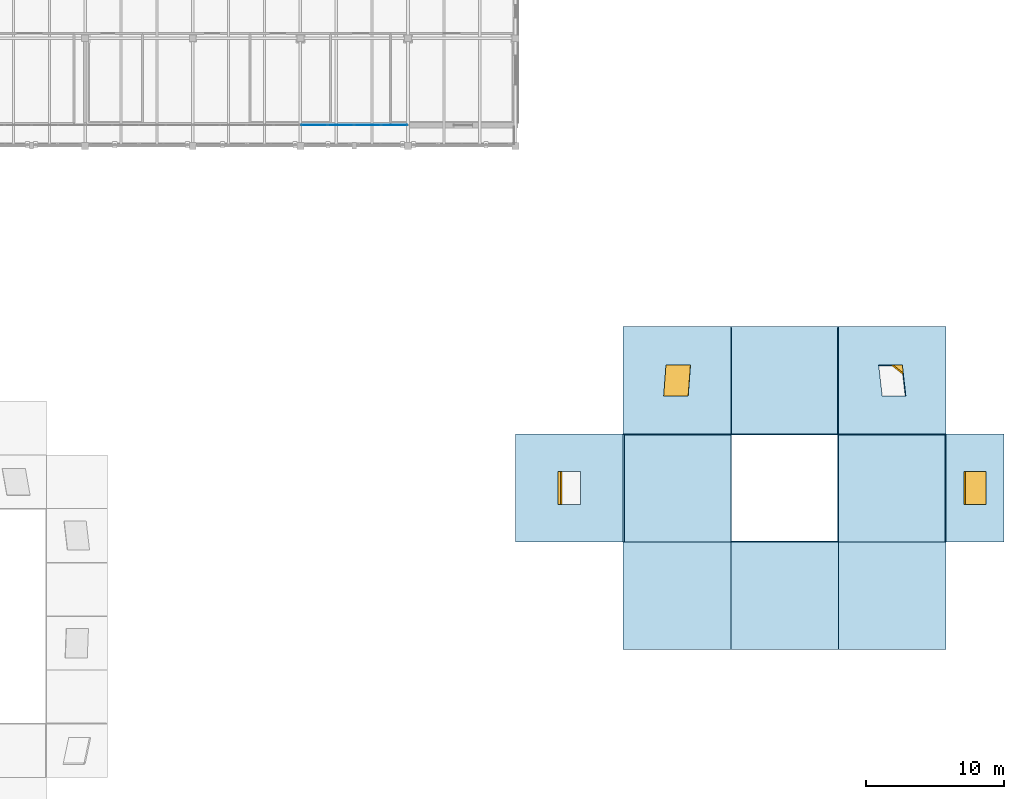
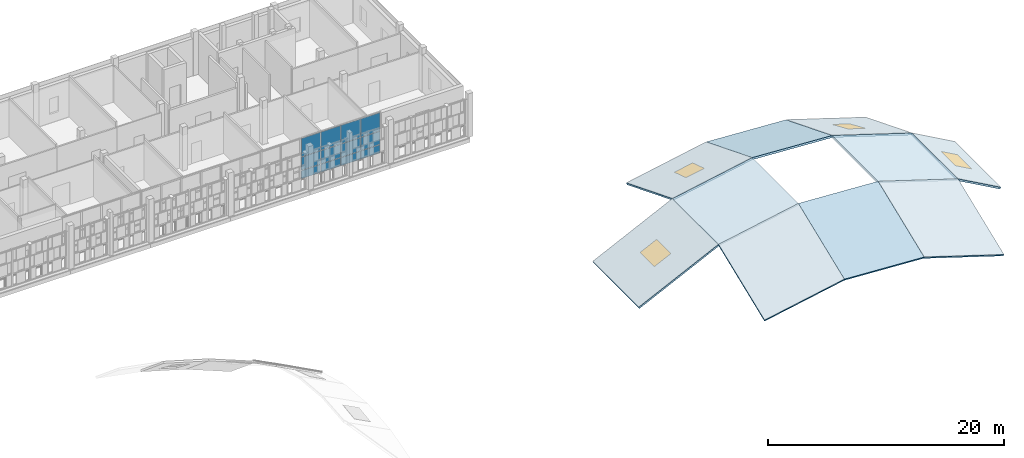
# One storey, part 53 of 89: 12 plates, 10 slabs, 4 windows, 4 openings, 1 element without a shape of its own.
"""IFC4 building model written with IfcOpenShell, lengths in metres."""

from ifc_helpers import new_model, si_unit, direction, frame, origin, origin_2d, place, context, subcontext, project, spatial, polyline, rectangle, outline, extrude, material, layer, layer_set, type_object, element, fill, aggregate, save


model = new_model("IFC4")

# Units and contexts
model_context = context("Model", 3, precision=1e-05, world=origin(), true_north=direction((0.0, 1.0)))
body_context = subcontext(model_context, "Body", "Model", "MODEL_VIEW")
ifc_project = project(units=[si_unit("LENGTHUNIT", "METRE"), si_unit("AREAUNIT", "SQUARE_METRE"), si_unit("VOLUMEUNIT", "CUBIC_METRE"), si_unit("PLANEANGLEUNIT", "RADIAN"), si_unit("MASSUNIT", "GRAM", prefix="KILO")], contexts=[model_context])

# Site, building, storey
site_placement = place(None, origin())
site = spatial("IfcSite", under=ifc_project, at=site_placement, CompositionType="ELEMENT")
building_placement = place(site_placement, origin())
building = spatial("IfcBuilding", under=site, at=building_placement, Name="Celorna Specialist Clinic", CompositionType="ELEMENT")
storey_placement = place(building_placement, frame((0.0, 0.0, 14.10009765625)))
storey = spatial("IfcBuildingStorey", under=building, at=storey_placement, Name="L03", CompositionType="ELEMENT", Elevation=14.10009765625)

# Curtain wall, plates
ifc_material_1 = material(Name="Thermally broken aluminium and solar-control glass curtain wall", Category="aluminium")
ifc_layer_1 = layer(ifc_material_1, 0.159912109375, Name="Thermally broken aluminium and solar-control glass curtain wall")
ifc_layer_set_1 = layer_set([ifc_layer_1], Name="Thermally broken aluminium and solar-control glass curtain wall")
curtain_wall_type = type_object("IfcCurtainWallType", Name="CW-71", PredefinedType="NOTDEFINED", material=ifc_layer_set_1)
curtain_wall_placement = place(storey_placement, origin())
curtain_wall = element("IfcCurtainWall", 1, at=curtain_wall_placement, inside=storey, type_object=curtain_wall_type, Name="Curtain wall CW-71 #136", PredefinedType="NOTDEFINED")
ifc_material_2 = material(Name="Solar-control triple glazing", Category="glass")
ifc_layer_2 = layer(ifc_material_2, 0.035888671875, Name="Solar-control triple glazing")
ifc_layer_set_2 = layer_set([ifc_layer_2], Name="Solar-control triple glazing")
plate_type = type_object("IfcPlateType", Name="CPN-02", PredefinedType="CURTAIN_PANEL", material=ifc_layer_set_2)
plate_1_placement = place(storey_placement, frame((123.8095703125, 98.0, 0.0498046875), z_axis=(0.0, 0.0, 1.0), x_axis=(-1.0, 0.0, 0.0)))
plate_1 = element("IfcPlate", 2, at=plate_1_placement, type_object=plate_type, Name="CW-71 panel 1.1", PredefinedType="CURTAIN_PANEL", context=body_context, shape_type="SweptSolid", body=[
    extrude(rectangle(XDim=1.873046875, YDim=0.035888671875, at=origin_2d()), origin(), (0.0, 0.0, 1.0), 0.824951171875),
])
plate_2_placement = place(storey_placement, frame((123.8095703125, 98.0, 0.9248046875), z_axis=(0.0, 0.0, 1.0), x_axis=(-1.0, 0.0, 0.0)))
plate_2 = element("IfcPlate", 3, at=plate_2_placement, type_object=plate_type, Name="CW-71 panel 1.2", PredefinedType="CURTAIN_PANEL", context=body_context, shape_type="SweptSolid", body=[
    extrude(rectangle(XDim=1.873046875, YDim=0.035888671875, at=origin_2d()), origin(), (0.0, 0.0, 1.0), 1.35009765625),
])
plate_3_placement = place(storey_placement, frame((123.8095703125, 98.0, 2.32470703125), z_axis=(0.0, 0.0, 1.0), x_axis=(-1.0, 0.0, 0.0)))
plate_3 = element("IfcPlate", 4, at=plate_3_placement, type_object=plate_type, Name="CW-71 panel 1.3", PredefinedType="CURTAIN_PANEL", context=body_context, shape_type="SweptSolid", body=[
    extrude(rectangle(XDim=1.873046875, YDim=0.035888671875, at=origin_2d()), origin(), (0.0, 0.0, 1.0), 1.885009765625),
])
plate_4_placement = place(storey_placement, frame((121.8740234375, 98.0, 0.0498046875), z_axis=(0.0, 0.0, 1.0), x_axis=(-1.0, 0.0, 0.0)))
plate_4 = element("IfcPlate", 5, at=plate_4_placement, type_object=plate_type, Name="CW-71 panel 2.1", PredefinedType="CURTAIN_PANEL", context=body_context, shape_type="SweptSolid", body=[
    extrude(rectangle(XDim=1.89794921875, YDim=0.035888671875, at=origin_2d()), origin(), (0.0, 0.0, 1.0), 0.824951171875),
])
plate_5_placement = place(storey_placement, frame((121.8740234375, 98.0, 0.9248046875), z_axis=(0.0, 0.0, 1.0), x_axis=(-1.0, 0.0, 0.0)))
plate_5 = element("IfcPlate", 6, at=plate_5_placement, type_object=plate_type, Name="CW-71 panel 2.2", PredefinedType="CURTAIN_PANEL", context=body_context, shape_type="SweptSolid", body=[
    extrude(rectangle(XDim=1.89794921875, YDim=0.035888671875, at=origin_2d()), origin(), (0.0, 0.0, 1.0), 1.35009765625),
])
plate_6_placement = place(storey_placement, frame((121.8740234375, 98.0, 2.32470703125), z_axis=(0.0, 0.0, 1.0), x_axis=(-1.0, 0.0, 0.0)))
plate_6 = element("IfcPlate", 7, at=plate_6_placement, type_object=plate_type, Name="CW-71 panel 2.3", PredefinedType="CURTAIN_PANEL", context=body_context, shape_type="SweptSolid", body=[
    extrude(rectangle(XDim=1.89794921875, YDim=0.035888671875, at=origin_2d()), origin(), (0.0, 0.0, 1.0), 1.885009765625),
])
plate_7_placement = place(storey_placement, frame((119.926025390625, 98.0, 0.0498046875), z_axis=(0.0, 0.0, 1.0), x_axis=(-1.0, 0.0, 0.0)))
plate_7 = element("IfcPlate", 8, at=plate_7_placement, type_object=plate_type, Name="CW-71 panel 3.1", PredefinedType="CURTAIN_PANEL", context=body_context, shape_type="SweptSolid", body=[
    extrude(rectangle(XDim=1.89794921875, YDim=0.035888671875, at=origin_2d()), origin(), (0.0, 0.0, 1.0), 0.824951171875),
])
plate_8_placement = place(storey_placement, frame((119.926025390625, 98.0, 0.9248046875), z_axis=(0.0, 0.0, 1.0), x_axis=(-1.0, 0.0, 0.0)))
plate_8 = element("IfcPlate", 9, at=plate_8_placement, type_object=plate_type, Name="CW-71 panel 3.2", PredefinedType="CURTAIN_PANEL", context=body_context, shape_type="SweptSolid", body=[
    extrude(rectangle(XDim=1.89794921875, YDim=0.035888671875, at=origin_2d()), origin(), (0.0, 0.0, 1.0), 1.35009765625),
])
plate_9_placement = place(storey_placement, frame((119.926025390625, 98.0, 2.32470703125), z_axis=(0.0, 0.0, 1.0), x_axis=(-1.0, 0.0, 0.0)))
plate_9 = element("IfcPlate", 10, at=plate_9_placement, type_object=plate_type, Name="CW-71 panel 3.3", PredefinedType="CURTAIN_PANEL", context=body_context, shape_type="SweptSolid", body=[
    extrude(rectangle(XDim=1.89794921875, YDim=0.035888671875, at=origin_2d()), origin(), (0.0, 0.0, 1.0), 1.885009765625),
])
plate_10_placement = place(storey_placement, frame((117.990478515625, 98.0, 0.0498046875), z_axis=(0.0, 0.0, 1.0), x_axis=(-1.0, 0.0, 0.0)))
plate_10 = element("IfcPlate", 11, at=plate_10_placement, type_object=plate_type, Name="CW-71 panel 4.1", PredefinedType="CURTAIN_PANEL", context=body_context, shape_type="SweptSolid", body=[
    extrude(rectangle(XDim=1.873046875, YDim=0.035888671875, at=origin_2d()), origin(), (0.0, 0.0, 1.0), 0.824951171875),
])
plate_11_placement = place(storey_placement, frame((117.990478515625, 98.0, 0.9248046875), z_axis=(0.0, 0.0, 1.0), x_axis=(-1.0, 0.0, 0.0)))
plate_11 = element("IfcPlate", 12, at=plate_11_placement, type_object=plate_type, Name="CW-71 panel 4.2", PredefinedType="CURTAIN_PANEL", context=body_context, shape_type="SweptSolid", body=[
    extrude(rectangle(XDim=1.873046875, YDim=0.035888671875, at=origin_2d()), origin(), (0.0, 0.0, 1.0), 1.35009765625),
])
plate_12_placement = place(storey_placement, frame((117.990478515625, 98.0, 2.32470703125), z_axis=(0.0, 0.0, 1.0), x_axis=(-1.0, 0.0, 0.0)))
plate_12 = element("IfcPlate", 13, at=plate_12_placement, type_object=plate_type, Name="CW-71 panel 4.3", PredefinedType="CURTAIN_PANEL", context=body_context, shape_type="SweptSolid", body=[
    extrude(rectangle(XDim=1.873046875, YDim=0.035888671875, at=origin_2d()), origin(), (0.0, 0.0, 1.0), 1.885009765625),
])
aggregate(curtain_wall, [plate_1, plate_2, plate_3, plate_4, plate_5, plate_6, plate_7, plate_8, plate_9, plate_10, plate_11, plate_12])

# Slab, opening, window
ifc_material_3 = material(Name="Glulam GL28h insulated roof deck", Category="wood")
ifc_layer_3 = layer(ifc_material_3, 0.179931640625, Name="Glulam GL28h insulated roof deck")
ifc_layer_set_3 = layer_set([ifc_layer_3], Name="Glulam GL28h insulated roof deck")
slab_type = type_object("IfcSlabType", Name="SL-12", PredefinedType="ROOF", material=ifc_layer_set_3)
slab_1_placement = place(storey_placement, frame((132.60009765625, 67.800048828125, -0.364501953125), z_axis=(-0.435042239327, 0.0, 0.90041004548), x_axis=(0.90041004548, 0.0, 0.435042239327)))
slab_1 = element("IfcSlab", 14, at=slab_1_placement, inside=storey, type_object=slab_type, Name="GSH-V3 translational gridshell roof facet 1-2", PredefinedType="ROOF", context=body_context, shape_type="SweptSolid", body=[
    extrude(outline(polyline([(0.0, 0.0), (8.662502963683488, 0.0), (8.662502963683488, 7.800048828125), (0.0, 7.800048828125), (0.0, 0.0)])), origin(), (0.0, 0.0, -1.0), 0.179931640625),
])
opening_1_placement = place(slab_1_placement, frame((4.331298828125, 3.89990234375, 0.010009765625)))
opening_1 = element("IfcOpeningElement", 15, at=opening_1_placement, cuts=slab_1, Name="Opening SK-03", PredefinedType="OPENING", context=body_context, shape_type="SweptSolid", body=[
    extrude(rectangle(XDim=1.800048828125, YDim=2.39990234375, at=origin_2d()), origin(), (0.0, 0.0, -1.0), 0.199951171875),
])
ifc_material_4 = material(Name="Gridshell crown acoustic skylight")
window_type = type_object("IfcWindowType", Name="SK-03", PartitioningType="SINGLE_PANEL", PredefinedType="SKYLIGHT", material=ifc_material_4)
window_1_placement = place(opening_1_placement, frame((0.0, 0.0, -0.010009765625)))
window_1 = element("IfcWindow", 16, at=window_1_placement, inside=storey, type_object=window_type, Name="GSH-V3 gridshell skylight 1-2", OverallHeight=2.39990234375, OverallWidth=1.800048828125, PartitioningType="SINGLE_PANEL", PredefinedType="SKYLIGHT", context=body_context, shape_type="SweptSolid", body=[
    extrude(rectangle(XDim=1.800048828125, YDim=2.39990234375, at=origin_2d()), origin(), (0.0, 0.0, -1.0), 0.050048828125),
])
fill(opening_1, window_1)

# Slabs
slab_2_placement = place(storey_placement, frame((140.39990234375, 60.0, 0.298583984375), z_axis=(-0.175894566536, -0.364141400215, 0.914583042764), x_axis=(0.982004194003, -5.118237e-06, 0.188859108689)))
element("IfcSlab", 17, at=slab_2_placement, inside=storey, type_object=slab_type, Name="GSH-V3 translational gridshell roof facet 2-1", PredefinedType="ROOF", context=body_context, shape_type="SweptSolid", body=[
    extrude(outline(polyline([(0.0, 0.0), (7.942969325678524, 1.1102230246251565e-16), (8.529471571550385, 8.375095783526985), (0.5864561376910289, 8.375008481456065), (0.0, 0.0)])), origin(), (0.0, 0.0, -1.0), 0.179931640625),
])
slab_3_placement = place(storey_placement, frame((140.39990234375, 67.800048828125, 3.404052734375), z_axis=(-0.188875893907, 0.0, 0.982000965733), x_axis=(0.982000965733, 0.0, 0.188875893907)))
element("IfcSlab", 18, at=slab_3_placement, inside=storey, type_object=slab_type, Name="GSH-V3 translational gridshell roof facet 2-2", PredefinedType="ROOF", context=body_context, shape_type="SweptSolid", body=[
    extrude(outline(polyline([(0.0, 0.0), (7.943015435123731, 0.0), (7.943015435123731, 7.800048828125), (0.0, 7.800048828125), (0.0, 0.0)])), origin(), (0.0, 0.0, -1.0), 0.179931640625),
])

# Slab, opening, window
slab_4_placement = place(storey_placement, frame((140.39990234375, 75.60009765625, 3.404052734375), z_axis=(-0.175893836486, 0.364151286739, 0.914579246786), x_axis=(0.982003438104, -5.118325e-06, 0.188863039066)))
slab_4 = element("IfcSlab", 19, at=slab_4_placement, inside=storey, type_object=slab_type, Name="GSH-V3 translational gridshell roof facet 2-3", PredefinedType="ROOF", context=body_context, shape_type="SweptSolid", body=[
    extrude(outline(polyline([(0.0, 0.0), (7.943015434339133, 1.1102230246251565e-16), (7.356421137415524, 8.374861959488873), (-0.5865481877832116, 8.374774655554477), (0.0, 0.0)])), origin(), (0.0, 0.0, -1.0), 0.179931640625),
])
opening_2_placement = place(slab_4_placement, frame((3.67822265625, 4.1875, 0.010009765625)))
opening_2 = element("IfcOpeningElement", 20, at=opening_2_placement, cuts=slab_4, Name="Opening SK-03", PredefinedType="OPENING", context=body_context, shape_type="SweptSolid", body=[
    extrude(rectangle(XDim=1.800048828125, YDim=2.39990234375, at=origin_2d()), origin(), (0.0, 0.0, -1.0), 0.199951171875),
])
window_2_placement = place(opening_2_placement, frame((0.0, 0.0, -0.010009765625)))
window_2 = element("IfcWindow", 21, at=window_2_placement, inside=storey, type_object=window_type, Name="GSH-V3 gridshell skylight 2-3", OverallHeight=2.39990234375, OverallWidth=1.800048828125, PartitioningType="SINGLE_PANEL", PredefinedType="SKYLIGHT", context=body_context, shape_type="SweptSolid", body=[
    extrude(rectangle(XDim=1.800048828125, YDim=2.39990234375, at=origin_2d()), origin(), (0.0, 0.0, -1.0), 0.050048828125),
])
fill(opening_2, window_2)

# Slabs
slab_5_placement = place(storey_placement, frame((148.199951171875, 60.0, 1.798583984375), z_axis=(0.052633942957, -0.369395901454, 0.927780327469), x_axis=(0.998394789019, 5.354915e-06, -0.056637842746)))
element("IfcSlab", 22, at=slab_5_placement, inside=storey, type_object=slab_type, Name="GSH-V3 translational gridshell roof facet 3-1", PredefinedType="ROOF", context=body_context, shape_type="SweptSolid", body=[
    extrude(outline(polyline([(0.0, 0.0), (7.812583712262099, -2.7755575615628914e-17), (7.636738430147162, 8.393674779397408), (-0.17585910971326396, 8.393764819247249), (0.0, 0.0)])), origin(), (0.0, 0.0, -1.0), 0.179931640625),
])
slab_6_placement = place(storey_placement, frame((148.199951171875, 75.60009765625, 4.904296875), z_axis=(0.05263371815, 0.369405886072, 0.927776364783), x_axis=(0.998394547881, 5.355028e-06, -0.056642093299)))
element("IfcSlab", 23, at=slab_6_placement, inside=storey, type_object=slab_type, Name="GSH-V3 translational gridshell roof facet 3-3", PredefinedType="ROOF", context=body_context, shape_type="SweptSolid", body=[
    extrude(outline(polyline([(0.0, 0.0), (7.8125975403792856, 0.0), (7.9885395592225, 8.393445878395383), (0.17595584747927326, 8.393535920519591), (0.0, 0.0)])), origin(), (0.0, 0.0, -1.0), 0.179931640625),
])
slab_7_placement = place(storey_placement, frame((156.0, 60.0, 1.356201171875), z_axis=(0.282662222994, -0.354823585888, 0.891180279511), x_axis=(0.953201474653, -4.717086e-06, -0.302335821061)))
element("IfcSlab", 24, at=slab_7_placement, inside=storey, type_object=slab_type, Name="GSH-V3 translational gridshell roof facet 4-1", PredefinedType="ROOF", context=body_context, shape_type="SweptSolid", body=[
    extrude(outline(polyline([(0.0, 0.0), (8.183033477619308, 1.1102230246251565e-16), (7.244028427351868, 8.342930167744795), (-0.9389312378111262, 8.342847595227227), (0.0, 0.0)])), origin(), (0.0, 0.0, -1.0), 0.179931640625),
])
slab_8_placement = place(storey_placement, frame((156.0, 67.800048828125, 4.461669921875), z_axis=(0.302320560532, 0.0, 0.953206314855), x_axis=(0.953206314855, 0.0, -0.302320560532)))
element("IfcSlab", 25, at=slab_8_placement, inside=storey, type_object=slab_type, Name="GSH-V3 translational gridshell roof facet 4-2", PredefinedType="ROOF", context=body_context, shape_type="SweptSolid", body=[
    extrude(outline(polyline([(0.0, 0.0), (8.182959666302727, 0.0), (8.182959666302727, 7.800048828125), (0.0, 7.800048828125), (0.0, 0.0)])), origin(), (0.0, 0.0, -1.0), 0.179931640625),
])

# Slab, opening, window
slab_9_placement = place(storey_placement, frame((156.0, 75.60009765625, 4.461669921875), z_axis=(0.282661109076, 0.354833293836, 0.891176767539), x_axis=(0.953202557175, -4.717239e-06, -0.302332408076)))
slab_9 = element("IfcSlab", 26, at=slab_9_placement, inside=storey, type_object=slab_type, Name="GSH-V3 translational gridshell roof facet 4-3", PredefinedType="ROOF", context=body_context, shape_type="SweptSolid", body=[
    extrude(outline(polyline([(0.0, 0.0), (8.182959665579611, -1.1102230246251565e-16), (9.121880529053113, 8.342711389137287), (0.9388470518504375, 8.342628813615697), (0.0, 0.0)])), origin(), (0.0, 0.0, -1.0), 0.179931640625),
])
opening_3_placement = place(slab_9_placement, frame((4.560791015625, 4.17138671875, 0.010009765625)))
opening_3 = element("IfcOpeningElement", 27, at=opening_3_placement, cuts=slab_9, Name="Opening SK-03", PredefinedType="OPENING", context=body_context, shape_type="SweptSolid", body=[
    extrude(rectangle(XDim=1.800048828125, YDim=2.39990234375, at=origin_2d()), origin(), (0.0, 0.0, -1.0), 0.199951171875),
])
window_3_placement = place(opening_3_placement, frame((0.0, 0.0, -0.010009765625)))
window_3 = element("IfcWindow", 28, at=window_3_placement, inside=storey, type_object=window_type, Name="GSH-V3 gridshell skylight 4-3", OverallHeight=2.39990234375, OverallWidth=1.800048828125, PartitioningType="SINGLE_PANEL", PredefinedType="SKYLIGHT", context=body_context, shape_type="SweptSolid", body=[
    extrude(rectangle(XDim=1.800048828125, YDim=2.39990234375, at=origin_2d()), origin(), (0.0, 0.0, -1.0), 0.050048828125),
])
fill(opening_3, window_3)

slab_10_placement = place(storey_placement, frame((163.800048828125, 67.800048828125, 1.98779296875), z_axis=(0.488654331784, 0.0, 0.872477474798), x_axis=(0.872477474798, 0.0, -0.488654331784)))
slab_10 = element("IfcSlab", 29, at=slab_10_placement, inside=storey, type_object=slab_type, Name="GSH-V3 translational gridshell roof facet 5-2", PredefinedType="ROOF", context=body_context, shape_type="SweptSolid", body=[
    extrude(outline(polyline([(0.0, 0.0), (4.813821895917329, 0.0), (4.813821895917329, 7.800048828125), (0.0, 7.800048828125), (0.0, 0.0)])), origin(), (0.0, 0.0, -1.0), 0.179931640625),
])
opening_4_placement = place(slab_10_placement, frame((2.40673828125, 3.89990234375, 0.010009765625)))
opening_4 = element("IfcOpeningElement", 30, at=opening_4_placement, cuts=slab_10, Name="Opening SK-03", PredefinedType="OPENING", context=body_context, shape_type="SweptSolid", body=[
    extrude(rectangle(XDim=1.800048828125, YDim=2.39990234375, at=origin_2d()), origin(), (0.0, 0.0, -1.0), 0.199951171875),
])
window_4_placement = place(opening_4_placement, frame((0.0, 0.0, -0.010009765625)))
window_4 = element("IfcWindow", 31, at=window_4_placement, inside=storey, type_object=window_type, Name="GSH-V3 gridshell skylight 5-2", OverallHeight=2.39990234375, OverallWidth=1.800048828125, PartitioningType="SINGLE_PANEL", PredefinedType="SKYLIGHT", context=body_context, shape_type="SweptSolid", body=[
    extrude(rectangle(XDim=1.800048828125, YDim=2.39990234375, at=origin_2d()), origin(), (0.0, 0.0, -1.0), 0.050048828125),
])
fill(opening_4, window_4)

save(model, "model.ifc")
